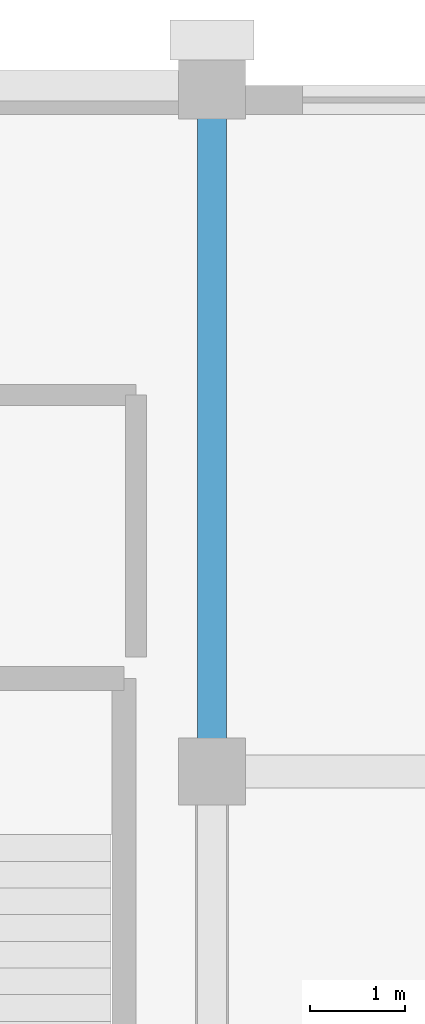
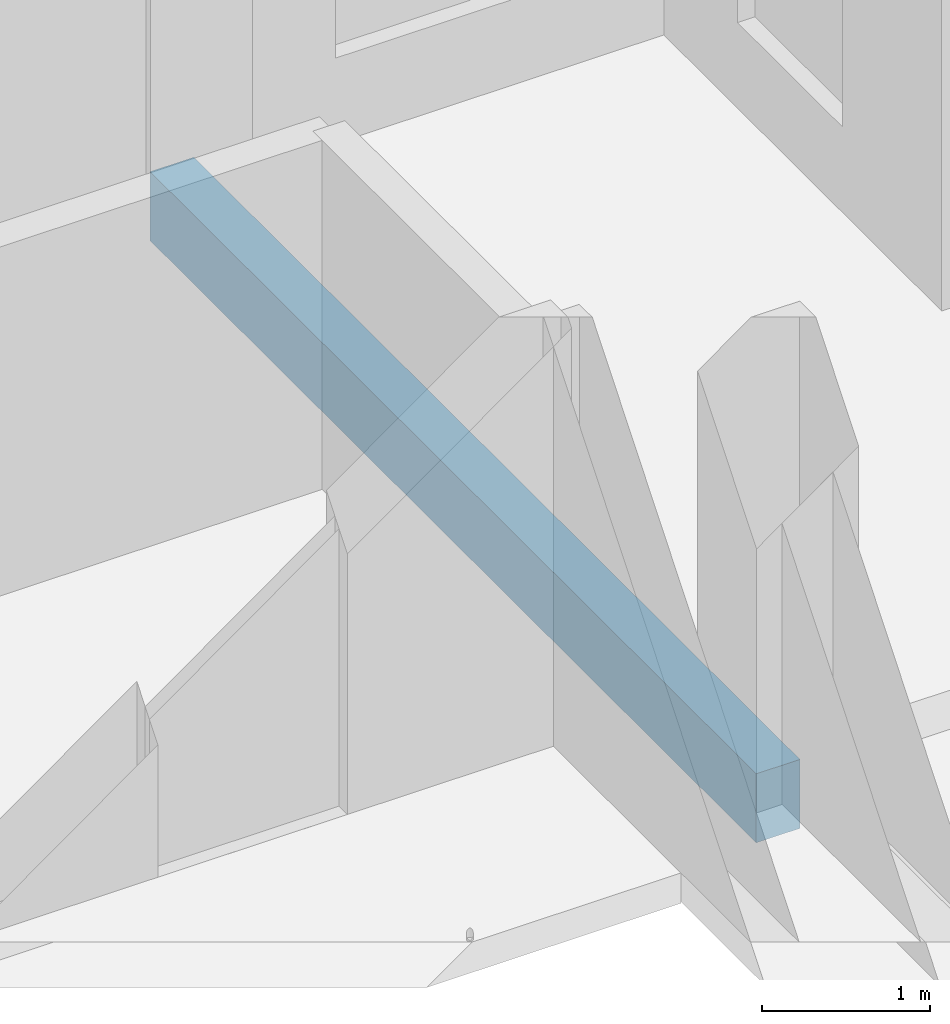
# One storey, part 14 of 24: 1 beam.
"""IFC4 building model written with IfcOpenShell, lengths in metres."""

from ifc_helpers import new_model, si_unit, direction, frame, origin, origin_2d, place, context, subcontext, project, spatial, rectangle, extrude, material, material_profile, profile_set, type_object, element, save


model = new_model("IFC4")

# Units and contexts
model_context = context("Model", 3, precision=1e-05, world=origin(), true_north=direction((0.0, 1.0)))
body_context = subcontext(model_context, "Body", "Model", "MODEL_VIEW")
ifc_project = project(units=[si_unit("LENGTHUNIT", "METRE"), si_unit("AREAUNIT", "SQUARE_METRE"), si_unit("VOLUMEUNIT", "CUBIC_METRE"), si_unit("PLANEANGLEUNIT", "RADIAN"), si_unit("MASSUNIT", "GRAM", prefix="KILO")], contexts=[model_context])

# Site, building, storey
site_placement = place(None, origin())
site = spatial("IfcSite", under=ifc_project, at=site_placement, CompositionType="ELEMENT")
building_placement = place(site_placement, origin())
building = spatial("IfcBuilding", under=site, at=building_placement, Name="Akrevak Sports Hall", CompositionType="ELEMENT")
storey_placement = place(building_placement, frame((0.0, 0.0, 60.050048828125)))
storey = spatial("IfcBuildingStorey", under=building, at=storey_placement, Name="L15", CompositionType="ELEMENT", Elevation=60.050048828125)

# Beam
ifc_material = material(Name="Concrete C40/50", Category="concrete")
ifc_material_profile = material_profile(ifc_material, rectangle(XDim=0.300048828125, YDim=0.5, at=origin_2d()), Name="BM 300x500", Category="concrete")
ifc_profile_set = profile_set([ifc_material_profile], Name="Concrete C40/50")
beam_type = type_object("IfcBeamType", Name="STR-BM-RC300x500", PredefinedType="BEAM", material=ifc_profile_set)
beam_placement = place(storey_placement, frame((100.0, 62.39990234375, -0.25), z_axis=(0.0, 1.0, 0.0), x_axis=(-1.0, 0.0, 0.0)))
element("IfcBeam", 1, at=beam_placement, inside=storey, type_object=beam_type, Name="Girder 14/J-K (L15)", PredefinedType="BEAM", context=body_context, shape_type="SweptSolid", body=[
    extrude(rectangle(XDim=0.300048828125, YDim=0.5, at=origin_2d()), origin(), (0.0, 0.0, 1.0), 7.2001953125),
])

save(model, "model.ifc")
